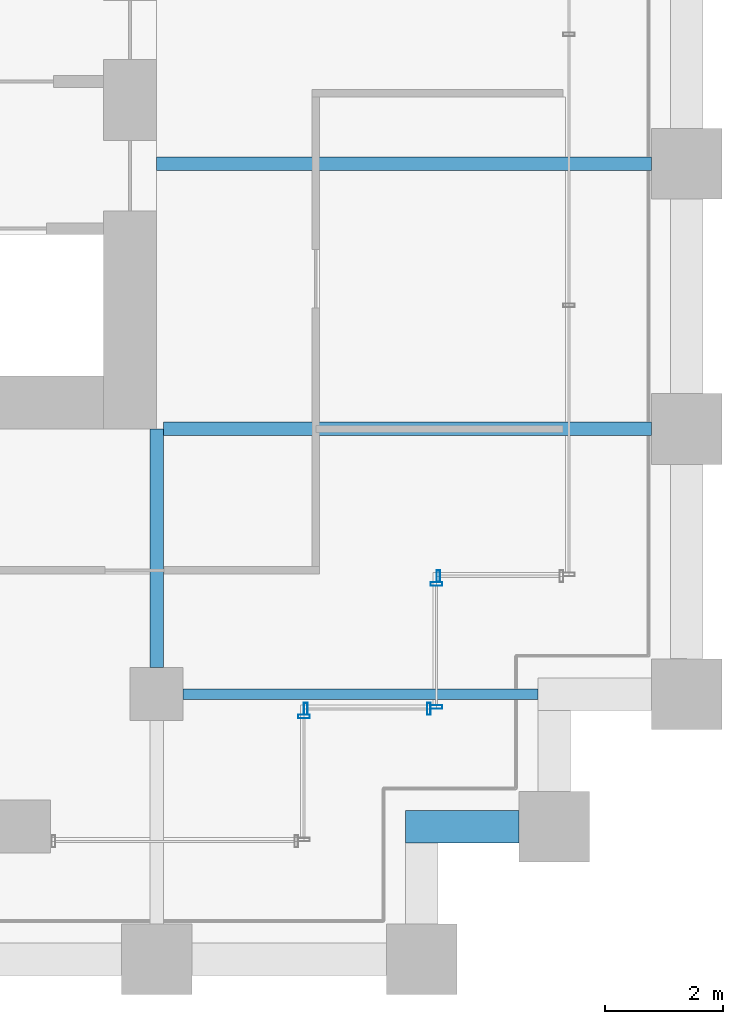
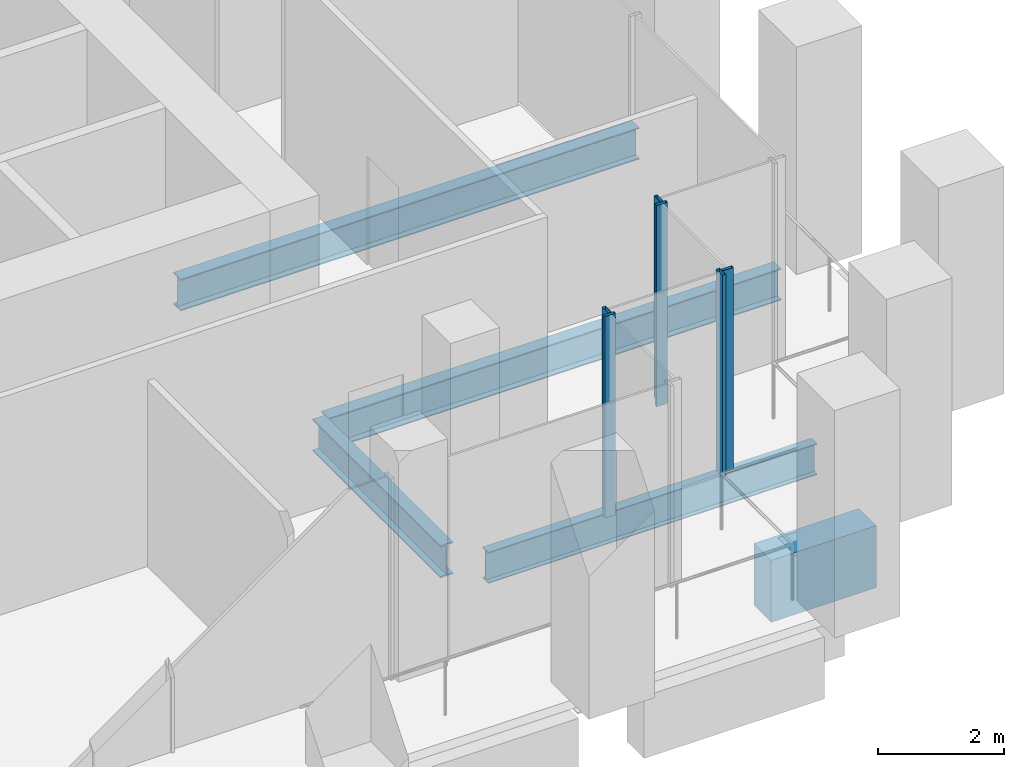
# One storey, part 22 of 36: 6 members, 5 beams, 4 elements without a shape of their own.
"""IFC4 building model written with IfcOpenShell, lengths in metres."""

from ifc_helpers import new_model, si_unit, direction, frame, origin, origin_2d, place, context, subcontext, project, spatial, rectangle, hollow_rectangle, i_section, extrude, material, material_profile, profile_set, type_object, element, aggregate, save


model = new_model("IFC4")

# Units and contexts
model_context = context("Model", 3, precision=1e-05, world=origin(), true_north=direction((0.0, 1.0)))
body_context = subcontext(model_context, "Body", "Model", "MODEL_VIEW")
ifc_project = project(units=[si_unit("LENGTHUNIT", "METRE"), si_unit("AREAUNIT", "SQUARE_METRE"), si_unit("VOLUMEUNIT", "CUBIC_METRE"), si_unit("PLANEANGLEUNIT", "RADIAN"), si_unit("MASSUNIT", "GRAM", prefix="KILO")], contexts=[model_context])

# Site, building, storey
site_placement = place(None, origin())
site = spatial("IfcSite", under=ifc_project, at=site_placement, CompositionType="ELEMENT")
building_placement = place(site_placement, origin())
building = spatial("IfcBuilding", under=site, at=building_placement, Name="Altepetl Exchange Towers", CompositionType="ELEMENT")
storey_placement = place(building_placement, frame((0.0, 0.0, 38.60009765625)))
storey = spatial("IfcBuildingStorey", under=building, at=storey_placement, Name="L08", CompositionType="ELEMENT", Elevation=38.60009765625)

# Beams
ifc_material_1 = material(Name="Steel S355", Category="steel")
ifc_material_profile_1 = material_profile(ifc_material_1, i_section(OverallWidth=0.178955078125, OverallDepth=0.60302734375, WebThickness=0.010986328125, FlangeThickness=0.014892578125, at=origin_2d()), Name="W24X62")
ifc_profile_set_1 = profile_set([ifc_material_profile_1], Name="Steel S355")
beam_type_1 = type_object("IfcBeamType", Name="Floor beam W24X62", PredefinedType="BEAM", material=ifc_profile_set_1)
beam_1_placement = place(storey_placement, frame((117.449951171875, 31.5, -0.4765625), z_axis=(1.0, 0.0, 0.0), x_axis=(0.0, 1.0, 0.0)))
element("IfcBeam", 1, at=beam_1_placement, inside=storey, type_object=beam_type_1, Name="bm:B:L08:004", PredefinedType="BEAM", context=body_context, shape_type="SweptSolid", body=[
    extrude(i_section(OverallWidth=0.178955078125, OverallDepth=0.60302734375, WebThickness=0.010986328125, FlangeThickness=0.014892578125, at=origin_2d()), origin(), (0.0, 0.0, 1.0), 6.025146484375),
])
ifc_material_profile_2 = material_profile(ifc_material_1, i_section(OverallWidth=0.22900390625, OverallDepth=0.612060546875, WebThickness=0.011962890625, FlangeThickness=0.01953125, at=origin_2d()), Name="W24X84")
ifc_profile_set_2 = profile_set([ifc_material_profile_2], Name="Steel S355")
beam_type_2 = type_object("IfcBeamType", Name="Floor beam W24X84", PredefinedType="BEAM", material=ifc_profile_set_2)
beam_2_placement = place(storey_placement, frame((117.114990234375, 36.0, -0.481201171875), z_axis=(1.0, 0.0, 0.0), x_axis=(0.0, 1.0, 0.0)))
element("IfcBeam", 2, at=beam_2_placement, inside=storey, type_object=beam_type_2, Name="bm:B:L08:005", PredefinedType="BEAM", context=body_context, shape_type="SweptSolid", body=[
    extrude(i_section(OverallWidth=0.22900390625, OverallDepth=0.612060546875, WebThickness=0.011962890625, FlangeThickness=0.01953125, at=origin_2d()), origin(), (0.0, 0.0, 1.0), 8.284912109375),
])
beam_3_placement = place(storey_placement, frame((117.0, 40.5, -0.481201171875), z_axis=(1.0, 0.0, 0.0), x_axis=(0.0, 1.0, 0.0)))
element("IfcBeam", 3, at=beam_3_placement, inside=storey, type_object=beam_type_2, Name="bm:B:L08:006", PredefinedType="BEAM", context=body_context, shape_type="SweptSolid", body=[
    extrude(i_section(OverallWidth=0.22900390625, OverallDepth=0.612060546875, WebThickness=0.011962890625, FlangeThickness=0.01953125, at=origin_2d()), origin(), (0.0, 0.0, 1.0), 8.39990234375),
])
ifc_material_profile_3 = material_profile(ifc_material_1, i_section(OverallWidth=0.22900390625, OverallDepth=0.623046875, WebThickness=0.013916015625, FlangeThickness=0.02490234375, at=origin_2d()), Name="W24X103")
ifc_profile_set_3 = profile_set([ifc_material_profile_3], Name="Steel S355")
beam_type_3 = type_object("IfcBeamType", Name="Girder W24X103", PredefinedType="BEAM", material=ifc_profile_set_3)
beam_4_placement = place(storey_placement, frame((117.0, 36.0, -0.486572265625), z_axis=(0.0, -1.0, 0.0), x_axis=(1.0, 0.0, 0.0)))
element("IfcBeam", 4, at=beam_4_placement, inside=storey, type_object=beam_type_3, Name="gd:B:L08:004", PredefinedType="BEAM", context=body_context, shape_type="SweptSolid", body=[
    extrude(i_section(OverallWidth=0.22900390625, OverallDepth=0.623046875, WebThickness=0.013916015625, FlangeThickness=0.02490234375, at=origin_2d()), origin(), (0.0, 0.0, 1.0), 4.050048828125),
])

# Curtain wall, member
ifc_material_2 = material(Name="Aluminium 6063-T6 glazing", Category="aluminium")
curtain_wall_type = type_object("IfcCurtainWallType", Name="Trading floor glazing system", PredefinedType="NOTDEFINED", material=ifc_material_2)
curtain_wall_1_placement = place(storey_placement, origin())
curtain_wall_1 = element("IfcCurtainWall", 5, at=curtain_wall_1_placement, inside=storey, type_object=curtain_wall_type, Name="CW2 run", PredefinedType="NOTDEFINED")
ifc_material_3 = material(Name="Aluminium 6063-T6", Category="aluminium")
ifc_material_profile_4 = material_profile(ifc_material_3, hollow_rectangle(XDim=0.06005859375, YDim=0.199951171875, WallThickness=0.0029296875, at=origin_2d()), Name="Mullion 60x200 aluminium")
ifc_profile_set_4 = profile_set([ifc_material_profile_4], Name="Aluminium 6063-T6")
member_type = type_object("IfcMemberType", Name="Mullion 60x200 aluminium", PredefinedType="MULLION", material=ifc_profile_set_4)
member_1_placement = place(storey_placement, frame((119.5, 31.1201171875, 0.0), z_axis=(0.0, 0.0, 1.0), x_axis=(0.0, 1.0, 0.0)))
member_1 = element("IfcMember", 6, at=member_1_placement, type_object=member_type, Name="MU2 mullion", PredefinedType="MULLION", context=body_context, shape_type="SweptSolid", body=[
    extrude(hollow_rectangle(XDim=0.06005859375, YDim=0.199951171875, WallThickness=0.0029296875, at=origin_2d()), origin(), (0.0, 0.0, 1.0), 3.89990234375),
])
aggregate(curtain_wall_1, [member_1])

# Curtain wall, members
curtain_wall_2_placement = place(storey_placement, origin())
curtain_wall_2 = element("IfcCurtainWall", 7, at=curtain_wall_2_placement, inside=storey, type_object=curtain_wall_type, Name="CW2 run", PredefinedType="NOTDEFINED")
member_2_placement = place(storey_placement, frame((119.530029296875, 31.25, 0.0)))
member_2 = element("IfcMember", 8, at=member_2_placement, type_object=member_type, Name="MU2 mullion", PredefinedType="MULLION", context=body_context, shape_type="SweptSolid", body=[
    extrude(hollow_rectangle(XDim=0.06005859375, YDim=0.199951171875, WallThickness=0.0029296875, at=origin_2d()), origin(), (0.0, 0.0, 1.0), 3.89990234375),
])
member_3_placement = place(storey_placement, frame((121.6201171875, 31.25, 0.0)))
member_3 = element("IfcMember", 9, at=member_3_placement, type_object=member_type, Name="MU2 mullion", PredefinedType="MULLION", context=body_context, shape_type="SweptSolid", body=[
    extrude(hollow_rectangle(XDim=0.06005859375, YDim=0.199951171875, WallThickness=0.0029296875, at=origin_2d()), origin(), (0.0, 0.0, 1.0), 3.89990234375),
])
aggregate(curtain_wall_2, [member_2, member_3])

curtain_wall_3_placement = place(storey_placement, origin())
curtain_wall_3 = element("IfcCurtainWall", 10, at=curtain_wall_3_placement, inside=storey, type_object=curtain_wall_type, Name="CW2 run", PredefinedType="NOTDEFINED")
member_4_placement = place(storey_placement, frame((121.75, 31.280029296875, 0.0), z_axis=(0.0, 0.0, 1.0), x_axis=(0.0, 1.0, 0.0)))
member_4 = element("IfcMember", 11, at=member_4_placement, type_object=member_type, Name="MU2 mullion", PredefinedType="MULLION", context=body_context, shape_type="SweptSolid", body=[
    extrude(hollow_rectangle(XDim=0.06005859375, YDim=0.199951171875, WallThickness=0.0029296875, at=origin_2d()), origin(), (0.0, 0.0, 1.0), 3.89990234375),
])
member_5_placement = place(storey_placement, frame((121.75, 33.3701171875, 0.0), z_axis=(0.0, 0.0, 1.0), x_axis=(0.0, 1.0, 0.0)))
member_5 = element("IfcMember", 12, at=member_5_placement, type_object=member_type, Name="MU2 mullion", PredefinedType="MULLION", context=body_context, shape_type="SweptSolid", body=[
    extrude(hollow_rectangle(XDim=0.06005859375, YDim=0.199951171875, WallThickness=0.0029296875, at=origin_2d()), origin(), (0.0, 0.0, 1.0), 3.89990234375),
])
aggregate(curtain_wall_3, [member_4, member_5])

# Curtain wall, member
curtain_wall_4_placement = place(storey_placement, origin())
curtain_wall_4 = element("IfcCurtainWall", 13, at=curtain_wall_4_placement, inside=storey, type_object=curtain_wall_type, Name="CW2 run", PredefinedType="NOTDEFINED")
member_6_placement = place(storey_placement, frame((121.780029296875, 33.5, 0.0)))
member_6 = element("IfcMember", 14, at=member_6_placement, type_object=member_type, Name="MU2 mullion", PredefinedType="MULLION", context=body_context, shape_type="SweptSolid", body=[
    extrude(hollow_rectangle(XDim=0.06005859375, YDim=0.199951171875, WallThickness=0.0029296875, at=origin_2d()), origin(), (0.0, 0.0, 1.0), 3.89990234375),
])
aggregate(curtain_wall_4, [member_6])

# Beam
ifc_material_4 = material(Name="Concrete C50/60 precast with cantera blanca facing", Category="concrete")
ifc_material_profile_5 = material_profile(ifc_material_4, rectangle(XDim=0.550048828125, YDim=1.199951171875, at=origin_2d()), Name="550 x 1200")
ifc_profile_set_5 = profile_set([ifc_material_profile_5], Name="Concrete C50/60 precast with cantera blanca facing")
beam_type_4 = type_object("IfcBeamType", Name="Spandrel beam 550x1200 cantera blanca", PredefinedType="SPANDREL", material=ifc_profile_set_5)
beam_5_placement = place(storey_placement, frame((121.22509765625, 29.25, -0.775146484375), z_axis=(1.0, 0.0, 0.0), x_axis=(0.0, 1.0, 0.0)))
element("IfcBeam", 15, at=beam_5_placement, inside=storey, type_object=beam_type_4, Name="sp:B:L08:006", PredefinedType="SPANDREL", context=body_context, shape_type="SweptSolid", body=[
    extrude(rectangle(XDim=0.550048828125, YDim=1.199951171875, at=origin_2d()), origin(), (0.0, 0.0, 1.0), 1.9248046875),
])

save(model, "model.ifc")
